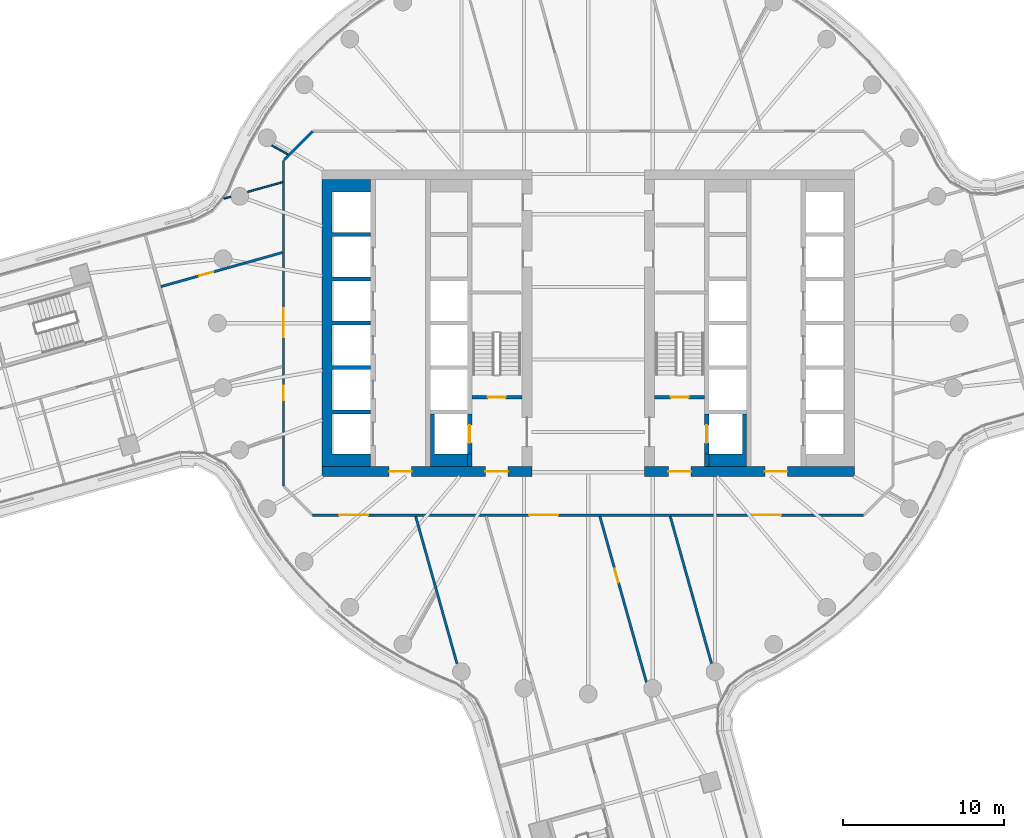
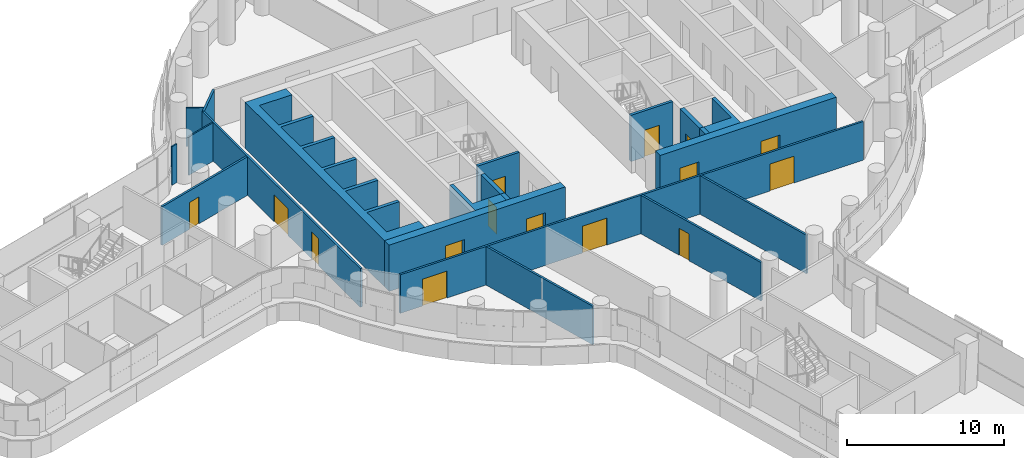
# One storey, part 19 of 30: 21 walls, 15 doors, 15 openings.
"""IFC4 building model written with IfcOpenShell, lengths in metres."""

from ifc_helpers import new_model, si_unit, direction, frame, frame_2d, origin, place, context, subcontext, project, spatial, polyline, rectangle, outline, extrude, material, layer, layer_set, type_object, element, fill, save


model = new_model("IFC4")

# Units and contexts
model_context = context("Model", 3, precision=1e-05, world=origin(), true_north=direction((0.0, 1.0)))
body_context = subcontext(model_context, "Body", "Model", "MODEL_VIEW")
ifc_project = project(units=[si_unit("LENGTHUNIT", "METRE"), si_unit("AREAUNIT", "SQUARE_METRE"), si_unit("VOLUMEUNIT", "CUBIC_METRE"), si_unit("PLANEANGLEUNIT", "RADIAN"), si_unit("MASSUNIT", "GRAM", prefix="KILO")], contexts=[model_context])

# Site, building, storey
site_placement = place(None, origin())
site = spatial("IfcSite", under=ifc_project, at=site_placement, CompositionType="ELEMENT")
building_placement = place(site_placement, origin())
building = spatial("IfcBuilding", under=site, at=building_placement, Name="Tamarind Cross Interchange Tower", CompositionType="ELEMENT")
storey_placement = place(building_placement, frame((0.0, 0.0, 91.0)))
storey = spatial("IfcBuildingStorey", under=building, at=storey_placement, Name="L21", CompositionType="ELEMENT", Elevation=91.0)

# Wall, openings, doors
ifc_material_1 = material(Name="Concrete C70", Category="concrete")
ifc_layer_1 = layer(ifc_material_1, 0.60009765625)
ifc_layer_set_1 = layer_set([ifc_layer_1], Name="Concrete C70")
wall_type_1 = type_object("IfcWallType", Name="Core wall 600 mm Concrete C70", PredefinedType="SHEAR", material=ifc_layer_set_1)
wall_1_placement = place(storey_placement, frame((-16.5, -9.199951171875, 0.0), z_axis=(0.0, 0.0, 1.0), x_axis=(1.0, 0.0, 0.0)))
wall_1 = element("IfcWall", 1, at=wall_1_placement, inside=storey, type_object=wall_type_1, Name="Core wall CWL-L21-W-S", PredefinedType="SHEAR", context=body_context, shape_type="SweptSolid", body=[
    extrude(rectangle(XDim=13.0, YDim=0.60009765625, at=frame_2d((6.5, 0.0))), origin(), (0.0, 0.0, 1.0), 3.610107421875),
])
opening_1_placement = place(wall_1_placement, frame((4.14990234375, 0.0, 0.0)))
opening_1 = element("IfcOpeningElement", 2, at=opening_1_placement, cuts=wall_1, Name="Opening DCW1", PredefinedType="OPENING", context=body_context, shape_type="SweptSolid", body=[
    extrude(rectangle(XDim=1.39990234375, YDim=2.10009765625, at=frame_2d((0.699951171875, 1.050048828125))), frame((0.0, 0.31005859375, 0.0), z_axis=(0.0, -1.0, 0.0), x_axis=(1.0, 0.0, 0.0)), (0.0, 0.0, 1.0), 0.6201171875),
])
opening_2_placement = place(wall_1_placement, frame((10.125, 0.0, 0.0)))
opening_2 = element("IfcOpeningElement", 3, at=opening_2_placement, cuts=wall_1, Name="Opening DCWF", PredefinedType="OPENING", context=body_context, shape_type="SweptSolid", body=[
    extrude(rectangle(XDim=1.39990234375, YDim=2.10009765625, at=frame_2d((0.699951171875, 1.050048828125))), frame((0.0, 0.31005859375, 0.0), z_axis=(0.0, -1.0, 0.0), x_axis=(1.0, 0.0, 0.0)), (0.0, 0.0, 1.0), 0.6201171875),
])
ifc_material_2 = material(Name="Steel, fire-resisting", Category="steel")
door_type_1 = type_object("IfcDoorType", Name="Core fire door 1400 x 2100 FD90", OperationType="SINGLE_SWING_LEFT", PredefinedType="DOOR", material=ifc_material_2)
door_1_placement = place(opening_1_placement, origin())
door_1 = element("IfcDoor", 4, at=door_1_placement, inside=storey, type_object=door_type_1, Name="L21 lift lobby door", OperationType="SINGLE_SWING_LEFT", OverallHeight=2.10009765625, OverallWidth=1.39990234375, PredefinedType="DOOR", context=body_context, shape_type="SweptSolid", body=[
    extrude(rectangle(XDim=1.39990234375, YDim=2.10009765625, at=frame_2d((0.699951171875, 1.050048828125))), frame((0.0, 0.02490234375, 0.0), z_axis=(0.0, -1.0, 0.0), x_axis=(1.0, 0.0, 0.0)), (0.0, 0.0, 1.0), 0.050048828125),
])
fill(opening_1, door_1)
door_2_placement = place(opening_2_placement, origin())
door_2 = element("IfcDoor", 5, at=door_2_placement, inside=storey, type_object=door_type_1, Name="L21 firefighting lobby end door", OperationType="SINGLE_SWING_LEFT", OverallHeight=2.10009765625, OverallWidth=1.39990234375, PredefinedType="DOOR", context=body_context, shape_type="SweptSolid", body=[
    extrude(rectangle(XDim=1.39990234375, YDim=2.10009765625, at=frame_2d((0.699951171875, 1.050048828125))), frame((0.0, 0.02490234375, 0.0), z_axis=(0.0, -1.0, 0.0), x_axis=(1.0, 0.0, 0.0)), (0.0, 0.0, 1.0), 0.050048828125),
])
fill(opening_2, door_2)

# Wall
wall_2_placement = place(storey_placement, origin())
element("IfcWall", 6, at=wall_2_placement, inside=storey, type_object=wall_type_1, Name="Core wall CWL-L21-W-A", PredefinedType="SHEAR", context=body_context, shape_type="SweptSolid", body=[
    extrude(outline(polyline([(-13.5, -8.89990234375), (-13.5, -8.125), (-15.89990234375, -8.125), (-15.89990234375, -5.625), (-13.5, -5.625), (-13.5, -5.375), (-15.89990234375, -5.375), (-15.89990234375, -2.875), (-13.5, -2.875), (-13.5, -2.625), (-15.89990234375, -2.625), (-15.89990234375, -0.125), (-13.5, -0.125), (-13.5, 0.125), (-15.89990234375, 0.125), (-15.89990234375, 2.625), (-13.5, 2.625), (-13.5, 2.875), (-15.89990234375, 2.875), (-15.89990234375, 5.375), (-13.5, 5.375), (-13.5, 5.625), (-15.89990234375, 5.625), (-15.89990234375, 8.125), (-13.5, 8.125), (-13.5, 8.89990234375), (-15.89990234375, 8.89990234375), (-16.5, 8.89990234375), (-16.5, -8.89990234375), (-15.89990234375, -8.89990234375), (-13.5, -8.89990234375)])), origin(), (0.0, 0.0, 1.0), 3.610107421875),
])

# Wall, openings, doors
wall_3_placement = place(storey_placement, frame((16.5, -9.199951171875, 0.0), z_axis=(0.0, 0.0, 1.0), x_axis=(-1.0, 0.0, 0.0)))
wall_3 = element("IfcWall", 7, at=wall_3_placement, inside=storey, type_object=wall_type_1, Name="Core wall CWL-L21-E-S", PredefinedType="SHEAR", context=body_context, shape_type="SweptSolid", body=[
    extrude(rectangle(XDim=13.0, YDim=0.60009765625, at=frame_2d((6.5, 0.0))), origin(), (0.0, 0.0, 1.0), 3.610107421875),
])
opening_3_placement = place(wall_3_placement, frame((4.14990234375, 0.0, 0.0)))
opening_3 = element("IfcOpeningElement", 8, at=opening_3_placement, cuts=wall_3, Name="Opening DCE1", PredefinedType="OPENING", context=body_context, shape_type="SweptSolid", body=[
    extrude(rectangle(XDim=1.39990234375, YDim=2.10009765625, at=frame_2d((0.699951171875, 1.050048828125))), frame((0.0, 0.31005859375, 0.0), z_axis=(0.0, -1.0, 0.0), x_axis=(1.0, 0.0, 0.0)), (0.0, 0.0, 1.0), 0.6201171875),
])
opening_4_placement = place(wall_3_placement, frame((10.125, 0.0, 0.0)))
opening_4 = element("IfcOpeningElement", 9, at=opening_4_placement, cuts=wall_3, Name="Opening DCEF", PredefinedType="OPENING", context=body_context, shape_type="SweptSolid", body=[
    extrude(rectangle(XDim=1.39990234375, YDim=2.10009765625, at=frame_2d((0.699951171875, 1.050048828125))), frame((0.0, 0.31005859375, 0.0), z_axis=(0.0, -1.0, 0.0), x_axis=(1.0, 0.0, 0.0)), (0.0, 0.0, 1.0), 0.6201171875),
])
door_3_placement = place(opening_3_placement, origin())
door_3 = element("IfcDoor", 10, at=door_3_placement, inside=storey, type_object=door_type_1, Name="L21 lift lobby door", OperationType="SINGLE_SWING_LEFT", OverallHeight=2.10009765625, OverallWidth=1.39990234375, PredefinedType="DOOR", context=body_context, shape_type="SweptSolid", body=[
    extrude(rectangle(XDim=1.39990234375, YDim=2.10009765625, at=frame_2d((0.699951171875, 1.050048828125))), frame((0.0, 0.02490234375, 0.0), z_axis=(0.0, -1.0, 0.0), x_axis=(1.0, 0.0, 0.0)), (0.0, 0.0, 1.0), 0.050048828125),
])
fill(opening_3, door_3)
door_4_placement = place(opening_4_placement, origin())
door_4 = element("IfcDoor", 11, at=door_4_placement, inside=storey, type_object=door_type_1, Name="L21 firefighting lobby end door", OperationType="SINGLE_SWING_LEFT", OverallHeight=2.10009765625, OverallWidth=1.39990234375, PredefinedType="DOOR", context=body_context, shape_type="SweptSolid", body=[
    extrude(rectangle(XDim=1.39990234375, YDim=2.10009765625, at=frame_2d((0.699951171875, 1.050048828125))), frame((0.0, 0.02490234375, 0.0), z_axis=(0.0, -1.0, 0.0), x_axis=(1.0, 0.0, 0.0)), (0.0, 0.0, 1.0), 0.050048828125),
])
fill(opening_4, door_4)

# Walls
ifc_layer_2 = layer(ifc_material_1, 0.300048828125)
ifc_layer_set_2 = layer_set([ifc_layer_2], Name="Concrete C70")
wall_type_2 = type_object("IfcWallType", Name="Core web wall 300 mm Concrete C70", PredefinedType="SHEAR", material=ifc_layer_set_2)
wall_4_placement = place(storey_placement, origin())
element("IfcWall", 12, at=wall_4_placement, inside=storey, type_object=wall_type_2, Name="Core wall CWL-L21-W-BS", PredefinedType="SHEAR", context=body_context, shape_type="SweptSolid", body=[
    extrude(outline(polyline([(-7.5, -8.125), (-9.550048828125, -8.125), (-9.550048828125, -5.625), (-9.800048828125, -5.625), (-9.800048828125, -8.125), (-9.800048828125, -8.89990234375), (-7.5, -8.89990234375), (-7.5, -8.125)])), origin(), (0.0, 0.0, 1.0), 3.610107421875),
])
wall_5_placement = place(storey_placement, frame((-7.35009765625, -8.89990234375, 0.0), z_axis=(0.0, 0.0, 1.0), x_axis=(0.0, 1.0, 0.0)))
element("IfcWall", 13, at=wall_5_placement, inside=storey, type_object=wall_type_2, Name="Core wall CWL-L21-W-BW", PredefinedType="SHEAR", context=body_context, shape_type="SweptSolid", body=[
    extrude(rectangle(XDim=0.77490234375, YDim=0.300048828125, at=frame_2d((0.387451171875, 0.0))), origin(), (0.0, 0.0, 1.0), 3.610107421875),
])

# Wall, opening, door
wall_6_placement = place(storey_placement, frame((-7.35009765625, -8.125, 0.0), z_axis=(0.0, 0.0, 1.0), x_axis=(0.0, 1.0, 0.0)))
wall_6 = element("IfcWall", 14, at=wall_6_placement, inside=storey, type_object=wall_type_2, Name="Core wall CWL-L21-W-FF", PredefinedType="SHEAR", context=body_context, shape_type="SweptSolid", body=[
    extrude(rectangle(XDim=2.5, YDim=0.300048828125, at=frame_2d((1.25, 0.0))), origin(), (0.0, 0.0, 1.0), 3.610107421875),
])
opening_5_placement = place(wall_6_placement, frame((0.699951171875, 0.0, 0.0)))
opening_5 = element("IfcOpeningElement", 15, at=opening_5_placement, cuts=wall_6, Name="Opening LD7L21", PredefinedType="OPENING", context=body_context, shape_type="SweptSolid", body=[
    extrude(rectangle(XDim=1.10009765625, YDim=2.10009765625, at=frame_2d((0.550048828125, 1.050048828125))), frame((0.0, 0.159912109375, 0.0), z_axis=(0.0, -1.0, 0.0), x_axis=(1.0, 0.0, 0.0)), (0.0, 0.0, 1.0), 0.320068359375),
])
ifc_material_3 = material(Name="Stainless steel panel", Category="steel")
door_type_2 = type_object("IfcDoorType", Name="Lift landing door 1100 x 2100 E 120", OperationType="SLIDING_TO_LEFT", PredefinedType="DOOR", material=ifc_material_3)
door_5_placement = place(opening_5_placement, origin())
door_5 = element("IfcDoor", 16, at=door_5_placement, inside=storey, type_object=door_type_2, Name="L21 landing door LF7", OperationType="SLIDING_TO_LEFT", OverallHeight=2.10009765625, OverallWidth=1.10009765625, PredefinedType="DOOR", context=body_context, shape_type="SweptSolid", body=[
    extrude(rectangle(XDim=1.10009765625, YDim=2.10009765625, at=frame_2d((0.550048828125, 1.050048828125))), frame((0.0, 0.02490234375, 0.0), z_axis=(0.0, -1.0, 0.0), x_axis=(1.0, 0.0, 0.0)), (0.0, 0.0, 1.0), 0.050048828125),
])
fill(opening_5, door_5)

# Walls
wall_7_placement = place(storey_placement, origin())
element("IfcWall", 17, at=wall_7_placement, inside=storey, type_object=wall_type_2, Name="Core wall CWL-L21-E-BS", PredefinedType="SHEAR", context=body_context, shape_type="SweptSolid", body=[
    extrude(outline(polyline([(7.5, -8.125), (7.5, -8.89990234375), (9.800048828125, -8.89990234375), (9.800048828125, -8.125), (9.800048828125, -5.625), (9.550048828125, -5.625), (9.550048828125, -8.125), (7.5, -8.125)])), origin(), (0.0, 0.0, 1.0), 3.610107421875),
])
wall_8_placement = place(storey_placement, frame((7.35009765625, -8.89990234375, 0.0), z_axis=(0.0, 0.0, 1.0), x_axis=(0.0, 1.0, 0.0)))
element("IfcWall", 18, at=wall_8_placement, inside=storey, type_object=wall_type_2, Name="Core wall CWL-L21-E-BW", PredefinedType="SHEAR", context=body_context, shape_type="SweptSolid", body=[
    extrude(rectangle(XDim=0.77490234375, YDim=0.300048828125, at=frame_2d((0.387451171875, 0.0))), origin(), (0.0, 0.0, 1.0), 3.610107421875),
])

# Wall, opening, door
wall_9_placement = place(storey_placement, frame((7.35009765625, -8.125, 0.0), z_axis=(0.0, 0.0, 1.0), x_axis=(0.0, 1.0, 0.0)))
wall_9 = element("IfcWall", 19, at=wall_9_placement, inside=storey, type_object=wall_type_2, Name="Core wall CWL-L21-E-FF", PredefinedType="SHEAR", context=body_context, shape_type="SweptSolid", body=[
    extrude(rectangle(XDim=2.5, YDim=0.300048828125, at=frame_2d((1.25, 0.0))), origin(), (0.0, 0.0, 1.0), 3.610107421875),
])
opening_6_placement = place(wall_9_placement, frame((0.699951171875, 0.0, 0.0)))
opening_6 = element("IfcOpeningElement", 20, at=opening_6_placement, cuts=wall_9, Name="Opening LD19L21", PredefinedType="OPENING", context=body_context, shape_type="SweptSolid", body=[
    extrude(rectangle(XDim=1.10009765625, YDim=2.10009765625, at=frame_2d((0.550048828125, 1.050048828125))), frame((0.0, 0.159912109375, 0.0), z_axis=(0.0, -1.0, 0.0), x_axis=(1.0, 0.0, 0.0)), (0.0, 0.0, 1.0), 0.320068359375),
])
door_6_placement = place(opening_6_placement, origin())
door_6 = element("IfcDoor", 21, at=door_6_placement, inside=storey, type_object=door_type_2, Name="L21 landing door LF19", OperationType="SLIDING_TO_LEFT", OverallHeight=2.10009765625, OverallWidth=1.10009765625, PredefinedType="DOOR", context=body_context, shape_type="SweptSolid", body=[
    extrude(rectangle(XDim=1.10009765625, YDim=2.10009765625, at=frame_2d((0.550048828125, 1.050048828125))), frame((0.0, 0.02490234375, 0.0), z_axis=(0.0, -1.0, 0.0), x_axis=(1.0, 0.0, 0.0)), (0.0, 0.0, 1.0), 0.050048828125),
])
fill(opening_6, door_6)

# Walls
ifc_material_4 = material(Name="Gypsum board partition on steel studs", Category="steel")
ifc_layer_3 = layer(ifc_material_4, 0.10009765625)
ifc_layer_set_3 = layer_set([ifc_layer_3], Name="Gypsum board partition on steel studs")
wall_type_3 = type_object("IfcWallType", Name="Partition 100 mm EI 90", PredefinedType="PARTITIONING", material=ifc_layer_set_3)
wall_10_placement = place(storey_placement, frame((-19.626953125, 11.026611328125, 0.0), z_axis=(0.0, 0.0, 1.0), x_axis=(0.871956265504, -0.489583773269, 0.0)))
element("IfcWall", 22, at=wall_10_placement, inside=storey, type_object=wall_type_3, Name="Partition L21-039", PredefinedType="PARTITIONING", context=body_context, shape_type="SweptSolid", body=[
    extrude(rectangle(XDim=1.12939453125, YDim=0.10009765625, at=frame_2d((0.564697265625, 0.0))), origin(), (0.0, 0.0, 1.0), 3.010009765625),
])
wall_11_placement = place(storey_placement, frame((-22.596923828125, 7.7265625, 0.0), z_axis=(0.0, 0.0, 1.0), x_axis=(0.962855865138, 0.270015893921, 0.0)))
element("IfcWall", 23, at=wall_11_placement, inside=storey, type_object=wall_type_3, Name="Partition L21-051", PredefinedType="PARTITIONING", context=body_context, shape_type="SweptSolid", body=[
    extrude(rectangle(XDim=0.44580078125, YDim=0.10009765625, at=frame_2d((0.222900390625, 0.0))), origin(), (0.0, 0.0, 1.0), 3.010009765625),
])
wall_12_placement = place(storey_placement, frame((-21.1259765625, 8.138916015625, 0.0), z_axis=(0.0, 0.0, 1.0), x_axis=(0.962855122656, 0.270018541538, 0.0)))
element("IfcWall", 24, at=wall_12_placement, inside=storey, type_object=wall_type_3, Name="Partition L21-052", PredefinedType="PARTITIONING", context=body_context, shape_type="SweptSolid", body=[
    extrude(rectangle(XDim=2.23681640625, YDim=0.10009765625, at=frame_2d((1.118408203125, 0.0))), origin(), (0.0, 0.0, 1.0), 3.010009765625),
])
ifc_layer_4 = layer(ifc_material_4, 0.14990234375)
ifc_layer_set_4 = layer_set([ifc_layer_4], Name="Gypsum board partition on steel studs")
wall_type_4 = type_object("IfcWallType", Name="Partition 150 mm EI 120", PredefinedType="PARTITIONING", material=ifc_layer_set_4)
wall_13_placement = place(storey_placement, frame((-10.705322265625, -11.97705078125, 0.0), z_axis=(0.0, 0.0, 1.0), x_axis=(0.27008925053, -0.96283529056, 0.0)))
element("IfcWall", 25, at=wall_13_placement, inside=storey, type_object=wall_type_4, Name="Partition L21-010", PredefinedType="PARTITIONING", context=body_context, shape_type="SweptSolid", body=[
    extrude(rectangle(XDim=9.501953125, YDim=0.14990234375, at=frame_2d((4.7509765625, 0.0))), origin(), (0.0, 0.0, 1.0), 3.010009765625),
])

# Wall, opening, door
wall_14_placement = place(storey_placement, frame((0.719482421875, -11.97705078125, 0.0), z_axis=(0.0, 0.0, 1.0), x_axis=(0.270116026971, -0.962827778979, 0.0)))
wall_14 = element("IfcWall", 26, at=wall_14_placement, inside=storey, type_object=wall_type_4, Name="Partition L21-023", PredefinedType="PARTITIONING", context=body_context, shape_type="SweptSolid", body=[
    extrude(rectangle(XDim=10.6923828125, YDim=0.14990234375, at=frame_2d((5.34619140625, 0.0))), origin(), (0.0, 0.0, 1.0), 3.010009765625),
])
opening_7_placement = place(wall_14_placement, frame((3.3701171875, 0.0, 0.0)))
opening_7 = element("IfcOpeningElement", 27, at=opening_7_placement, cuts=wall_14, Name="Opening D10", PredefinedType="OPENING", context=body_context, shape_type="SweptSolid", body=[
    extrude(rectangle(XDim=0.89990234375, YDim=2.10009765625, at=frame_2d((0.449951171875, 1.050048828125))), frame((0.0, 0.0849609375, 0.0), z_axis=(0.0, -1.0, 0.0), x_axis=(1.0, 0.0, 0.0)), (0.0, 0.0, 1.0), 0.169921875),
])
ifc_material_5 = material(Name="Fire-resisting door set")
door_type_3 = type_object("IfcDoorType", Name="Interior door 900 x 2100 FD60S", OperationType="SINGLE_SWING_LEFT", PredefinedType="DOOR", material=ifc_material_5)
door_7_placement = place(opening_7_placement, origin())
door_7 = element("IfcDoor", 28, at=door_7_placement, inside=storey, type_object=door_type_3, Name="Door D10", OperationType="SINGLE_SWING_RIGHT", OverallHeight=2.10009765625, OverallWidth=0.89990234375, PredefinedType="DOOR", context=body_context, shape_type="SweptSolid", body=[
    extrude(rectangle(XDim=0.89990234375, YDim=2.10009765625, at=frame_2d((0.449951171875, 1.050048828125))), frame((0.0, 0.02490234375, 0.0), z_axis=(0.0, -1.0, 0.0), x_axis=(1.0, 0.0, 0.0)), (0.0, 0.0, 1.0), 0.050048828125),
])
fill(opening_7, door_7)

# Wall
wall_15_placement = place(storey_placement, frame((5.08154296875, -11.97705078125, 0.0), z_axis=(0.0, 0.0, 1.0), x_axis=(0.270130013126, -0.962823855131, 0.0)))
element("IfcWall", 29, at=wall_15_placement, inside=storey, type_object=wall_type_4, Name="Partition L21-028", PredefinedType="PARTITIONING", context=body_context, shape_type="SweptSolid", body=[
    extrude(rectangle(XDim=9.488037109375, YDim=0.14990234375, at=frame_2d((4.744140625, 0.0))), origin(), (0.0, 0.0, 1.0), 3.010009765625),
])

# Wall, openings, doors
wall_16_placement = place(storey_placement, frame((-17.10009765625, -11.89990234375, 0.0), z_axis=(0.0, 0.0, 1.0), x_axis=(1.0, 0.0, 0.0)))
wall_16 = element("IfcWall", 30, at=wall_16_placement, inside=storey, type_object=wall_type_4, Name="Partition L21-041", PredefinedType="PARTITIONING", context=body_context, shape_type="SweptSolid", body=[
    extrude(rectangle(XDim=34.1650390625, YDim=0.14990234375, at=frame_2d((17.08251953125, 0.0))), origin(), (0.0, 0.0, 1.0), 3.010009765625),
])
opening_8_placement = place(wall_16_placement, frame((13.43505859375, 0.0, 0.0)))
opening_8 = element("IfcOpeningElement", 31, at=opening_8_placement, cuts=wall_16, Name="Opening D15", PredefinedType="OPENING", context=body_context, shape_type="SweptSolid", body=[
    extrude(rectangle(XDim=1.800048828125, YDim=2.10009765625, at=frame_2d((0.89990234375, 1.050048828125))), frame((0.0, 0.0849609375, 0.0), z_axis=(0.0, -1.0, 0.0), x_axis=(1.0, 0.0, 0.0)), (0.0, 0.0, 1.0), 0.169921875),
])
opening_9_placement = place(wall_16_placement, frame((1.64990234375, 0.0, 0.0)))
opening_9 = element("IfcOpeningElement", 32, at=opening_9_placement, cuts=wall_16, Name="Opening D16", PredefinedType="OPENING", context=body_context, shape_type="SweptSolid", body=[
    extrude(rectangle(XDim=1.800048828125, YDim=2.10009765625, at=frame_2d((0.89990234375, 1.050048828125))), frame((0.0, 0.0849609375, 0.0), z_axis=(0.0, -1.0, 0.0), x_axis=(1.0, 0.0, 0.0)), (0.0, 0.0, 1.0), 0.169921875),
])
opening_10_placement = place(wall_16_placement, frame((27.260009765625, 0.0, 0.0)))
opening_10 = element("IfcOpeningElement", 33, at=opening_10_placement, cuts=wall_16, Name="Opening D17", PredefinedType="OPENING", context=body_context, shape_type="SweptSolid", body=[
    extrude(rectangle(XDim=1.800048828125, YDim=2.10009765625, at=frame_2d((0.89990234375, 1.050048828125))), frame((0.0, 0.0849609375, 0.0), z_axis=(0.0, -1.0, 0.0), x_axis=(1.0, 0.0, 0.0)), (0.0, 0.0, 1.0), 0.169921875),
])
door_type_4 = type_object("IfcDoorType", Name="Interior door 1800 x 2100 FD60S", OperationType="DOUBLE_DOOR_SINGLE_SWING", PredefinedType="DOOR", material=ifc_material_5)
door_8_placement = place(opening_8_placement, origin())
door_8 = element("IfcDoor", 34, at=door_8_placement, inside=storey, type_object=door_type_4, Name="Door D15", OperationType="DOUBLE_DOOR_SINGLE_SWING", OverallHeight=2.10009765625, OverallWidth=1.800048828125, PredefinedType="DOOR", context=body_context, shape_type="SweptSolid", body=[
    extrude(rectangle(XDim=1.800048828125, YDim=2.10009765625, at=frame_2d((0.89990234375, 1.050048828125))), frame((0.0, 0.02490234375, 0.0), z_axis=(0.0, -1.0, 0.0), x_axis=(1.0, 0.0, 0.0)), (0.0, 0.0, 1.0), 0.050048828125),
])
fill(opening_8, door_8)
door_9_placement = place(opening_9_placement, frame((1.800048828125, 0.0, 0.0), z_axis=(0.0, 0.0, 1.0), x_axis=(-1.0, 0.0, 0.0)))
door_9 = element("IfcDoor", 35, at=door_9_placement, inside=storey, type_object=door_type_4, Name="Door D16", OperationType="DOUBLE_DOOR_SINGLE_SWING", OverallHeight=2.10009765625, OverallWidth=1.800048828125, PredefinedType="DOOR", context=body_context, shape_type="SweptSolid", body=[
    extrude(rectangle(XDim=1.800048828125, YDim=2.10009765625, at=frame_2d((0.89990234375, 1.050048828125))), frame((0.0, 0.02490234375, 0.0), z_axis=(0.0, -1.0, 0.0), x_axis=(1.0, 0.0, 0.0)), (0.0, 0.0, 1.0), 0.050048828125),
])
fill(opening_9, door_9)
door_10_placement = place(opening_10_placement, frame((1.800048828125, 0.0, 0.0), z_axis=(0.0, 0.0, 1.0), x_axis=(-1.0, 0.0, 0.0)))
door_10 = element("IfcDoor", 36, at=door_10_placement, inside=storey, type_object=door_type_4, Name="Door D17", OperationType="DOUBLE_DOOR_SINGLE_SWING", OverallHeight=2.10009765625, OverallWidth=1.800048828125, PredefinedType="DOOR", context=body_context, shape_type="SweptSolid", body=[
    extrude(rectangle(XDim=1.800048828125, YDim=2.10009765625, at=frame_2d((0.89990234375, 1.050048828125))), frame((0.0, 0.02490234375, 0.0), z_axis=(0.0, -1.0, 0.0), x_axis=(1.0, 0.0, 0.0)), (0.0, 0.0, 1.0), 0.050048828125),
])
fill(opening_10, door_10)

# Wall, opening, door
wall_17_placement = place(storey_placement, frame((-26.5048828125, 2.267333984375, 0.0), z_axis=(0.0, 0.0, 1.0), x_axis=(0.962822165178, 0.270136036549, 0.0)))
wall_17 = element("IfcWall", 37, at=wall_17_placement, inside=storey, type_object=wall_type_4, Name="Partition L21-046", PredefinedType="PARTITIONING", context=body_context, shape_type="SweptSolid", body=[
    extrude(rectangle(XDim=7.818603515625, YDim=0.14990234375, at=frame_2d((3.9091796875, 0.0))), origin(), (0.0, 0.0, 1.0), 3.010009765625),
])
opening_11_placement = place(wall_17_placement, frame((2.47509765625, 0.0, 0.0)))
opening_11 = element("IfcOpeningElement", 38, at=opening_11_placement, cuts=wall_17, Name="Opening D27", PredefinedType="OPENING", context=body_context, shape_type="SweptSolid", body=[
    extrude(rectangle(XDim=0.89990234375, YDim=2.10009765625, at=frame_2d((0.449951171875, 1.050048828125))), frame((0.0, 0.0849609375, 0.0), z_axis=(0.0, -1.0, 0.0), x_axis=(1.0, 0.0, 0.0)), (0.0, 0.0, 1.0), 0.169921875),
])
door_11_placement = place(opening_11_placement, origin())
door_11 = element("IfcDoor", 39, at=door_11_placement, inside=storey, type_object=door_type_3, Name="Door D27", OperationType="SINGLE_SWING_RIGHT", OverallHeight=2.10009765625, OverallWidth=0.89990234375, PredefinedType="DOOR", context=body_context, shape_type="SweptSolid", body=[
    extrude(rectangle(XDim=0.89990234375, YDim=2.10009765625, at=frame_2d((0.449951171875, 1.050048828125))), frame((0.0, 0.02490234375, 0.0), z_axis=(0.0, -1.0, 0.0), x_axis=(1.0, 0.0, 0.0)), (0.0, 0.0, 1.0), 0.050048828125),
])
fill(opening_11, door_11)

# Wall
wall_18_placement = place(storey_placement, frame((-18.87158203125, 10.12841796875, 0.0), z_axis=(0.0, 0.0, 1.0), x_axis=(0.707106781187, 0.707106781187, 0.0)))
element("IfcWall", 40, at=wall_18_placement, inside=storey, type_object=wall_type_4, Name="Partition L21-073", PredefinedType="PARTITIONING", context=body_context, shape_type="SweptSolid", body=[
    extrude(rectangle(XDim=2.50537109375, YDim=0.14990234375, at=frame_2d((1.252685546875, 0.0))), origin(), (0.0, 0.0, 1.0), 3.010009765625),
])

# Wall, openings, doors
wall_19_placement = place(storey_placement, frame((-18.89990234375, -10.10009765625, 0.0), z_axis=(0.0, 0.0, 1.0), x_axis=(0.0, 1.0, 0.0)))
wall_19 = element("IfcWall", 41, at=wall_19_placement, inside=storey, type_object=wall_type_4, Name="Partition L21-077", PredefinedType="PARTITIONING", context=body_context, shape_type="SweptSolid", body=[
    extrude(rectangle(XDim=20.2001953125, YDim=0.14990234375, at=frame_2d((10.10009765625, 0.0))), origin(), (0.0, 0.0, 1.0), 3.010009765625),
])
opening_12_placement = place(wall_19_placement, frame((9.238037109375, 0.0, 0.0)))
opening_12 = element("IfcOpeningElement", 42, at=opening_12_placement, cuts=wall_19, Name="Opening D38", PredefinedType="OPENING", context=body_context, shape_type="SweptSolid", body=[
    extrude(rectangle(XDim=1.800048828125, YDim=2.10009765625, at=frame_2d((0.89990234375, 1.050048828125))), frame((0.0, 0.0849609375, 0.0), z_axis=(0.0, -1.0, 0.0), x_axis=(1.0, 0.0, 0.0)), (0.0, 0.0, 1.0), 0.169921875),
])
opening_13_placement = place(wall_19_placement, frame((5.325927734375, 0.0, 0.0)))
opening_13 = element("IfcOpeningElement", 43, at=opening_13_placement, cuts=wall_19, Name="Opening D39", PredefinedType="OPENING", context=body_context, shape_type="SweptSolid", body=[
    extrude(rectangle(XDim=0.89990234375, YDim=2.10009765625, at=frame_2d((0.449951171875, 1.050048828125))), frame((0.0, 0.0849609375, 0.0), z_axis=(0.0, -1.0, 0.0), x_axis=(1.0, 0.0, 0.0)), (0.0, 0.0, 1.0), 0.169921875),
])
door_12_placement = place(opening_12_placement, frame((1.800048828125, 0.0, 0.0), z_axis=(0.0, 0.0, 1.0), x_axis=(-1.0, 0.0, 0.0)))
door_12 = element("IfcDoor", 44, at=door_12_placement, inside=storey, type_object=door_type_4, Name="Door D38", OperationType="DOUBLE_DOOR_SINGLE_SWING", OverallHeight=2.10009765625, OverallWidth=1.800048828125, PredefinedType="DOOR", context=body_context, shape_type="SweptSolid", body=[
    extrude(rectangle(XDim=1.800048828125, YDim=2.10009765625, at=frame_2d((0.89990234375, 1.050048828125))), frame((0.0, 0.02490234375, 0.0), z_axis=(0.0, -1.0, 0.0), x_axis=(1.0, 0.0, 0.0)), (0.0, 0.0, 1.0), 0.050048828125),
])
fill(opening_12, door_12)
door_13_placement = place(opening_13_placement, origin())
door_13 = element("IfcDoor", 45, at=door_13_placement, inside=storey, type_object=door_type_3, Name="Door D39", OperationType="SINGLE_SWING_RIGHT", OverallHeight=2.10009765625, OverallWidth=0.89990234375, PredefinedType="DOOR", context=body_context, shape_type="SweptSolid", body=[
    extrude(rectangle(XDim=0.89990234375, YDim=2.10009765625, at=frame_2d((0.449951171875, 1.050048828125))), frame((0.0, 0.02490234375, 0.0), z_axis=(0.0, -1.0, 0.0), x_axis=(1.0, 0.0, 0.0)), (0.0, 0.0, 1.0), 0.050048828125),
])
fill(opening_13, door_13)

# Wall, opening, door
ifc_material_6 = material(Name="Concrete C40", Category="concrete")
ifc_layer_5 = layer(ifc_material_6, 0.199951171875)
ifc_layer_set_5 = layer_set([ifc_layer_5], Name="Concrete C40")
wall_type_5 = type_object("IfcWallType", Name="Stair shaft wall 200 mm Concrete C40", PredefinedType="SHEAR", material=ifc_layer_set_5)
wall_20_placement = place(storey_placement, frame((-7.199951171875, -4.60009765625, 0.0), z_axis=(0.0, 0.0, 1.0), x_axis=(1.0, 0.0, 0.0)))
wall_20 = element("IfcWall", 46, at=wall_20_placement, inside=storey, type_object=wall_type_5, Name="Core wall CWL-L21-W-SD", PredefinedType="SHEAR", context=body_context, shape_type="SweptSolid", body=[
    extrude(rectangle(XDim=3.099853515625, YDim=0.199951171875, at=frame_2d((1.5498046875, 0.0))), origin(), (0.0, 0.0, 1.0), 3.610107421875),
])
opening_14_placement = place(wall_20_placement, frame((0.97509765625, 0.0, 0.0)))
opening_14 = element("IfcOpeningElement", 47, at=opening_14_placement, cuts=wall_20, Name="Opening DCW6", PredefinedType="OPENING", context=body_context, shape_type="SweptSolid", body=[
    extrude(rectangle(XDim=1.10009765625, YDim=2.10009765625, at=frame_2d((0.550048828125, 1.050048828125))), frame((0.0, 0.10986328125, 0.0), z_axis=(0.0, -1.0, 0.0), x_axis=(1.0, 0.0, 0.0)), (0.0, 0.0, 1.0), 0.219970703125),
])
door_type_5 = type_object("IfcDoorType", Name="Core fire door 1100 x 2100 FD90", OperationType="SINGLE_SWING_LEFT", PredefinedType="DOOR", material=ifc_material_2)
door_14_placement = place(opening_14_placement, origin())
door_14 = element("IfcDoor", 48, at=door_14_placement, inside=storey, type_object=door_type_5, Name="L21 stair door", OperationType="SINGLE_SWING_LEFT", OverallHeight=2.10009765625, OverallWidth=1.10009765625, PredefinedType="DOOR", context=body_context, shape_type="SweptSolid", body=[
    extrude(rectangle(XDim=1.10009765625, YDim=2.10009765625, at=frame_2d((0.550048828125, 1.050048828125))), frame((0.0, 0.02490234375, 0.0), z_axis=(0.0, -1.0, 0.0), x_axis=(1.0, 0.0, 0.0)), (0.0, 0.0, 1.0), 0.050048828125),
])
fill(opening_14, door_14)

wall_21_placement = place(storey_placement, frame((7.199951171875, -4.60009765625, 0.0), z_axis=(0.0, 0.0, 1.0), x_axis=(-1.0, 0.0, 0.0)))
wall_21 = element("IfcWall", 49, at=wall_21_placement, inside=storey, type_object=wall_type_5, Name="Core wall CWL-L21-E-SD", PredefinedType="SHEAR", context=body_context, shape_type="SweptSolid", body=[
    extrude(rectangle(XDim=3.099853515625, YDim=0.199951171875, at=frame_2d((1.5498046875, 0.0))), origin(), (0.0, 0.0, 1.0), 3.610107421875),
])
opening_15_placement = place(wall_21_placement, frame((0.97509765625, 0.0, 0.0)))
opening_15 = element("IfcOpeningElement", 50, at=opening_15_placement, cuts=wall_21, Name="Opening DCE6", PredefinedType="OPENING", context=body_context, shape_type="SweptSolid", body=[
    extrude(rectangle(XDim=1.10009765625, YDim=2.10009765625, at=frame_2d((0.550048828125, 1.050048828125))), frame((0.0, 0.10986328125, 0.0), z_axis=(0.0, -1.0, 0.0), x_axis=(1.0, 0.0, 0.0)), (0.0, 0.0, 1.0), 0.219970703125),
])
door_15_placement = place(opening_15_placement, origin())
door_15 = element("IfcDoor", 51, at=door_15_placement, inside=storey, type_object=door_type_5, Name="L21 stair door", OperationType="SINGLE_SWING_LEFT", OverallHeight=2.10009765625, OverallWidth=1.10009765625, PredefinedType="DOOR", context=body_context, shape_type="SweptSolid", body=[
    extrude(rectangle(XDim=1.10009765625, YDim=2.10009765625, at=frame_2d((0.550048828125, 1.050048828125))), frame((0.0, 0.02490234375, 0.0), z_axis=(0.0, -1.0, 0.0), x_axis=(1.0, 0.0, 0.0)), (0.0, 0.0, 1.0), 0.050048828125),
])
fill(opening_15, door_15)

save(model, "model.ifc")
